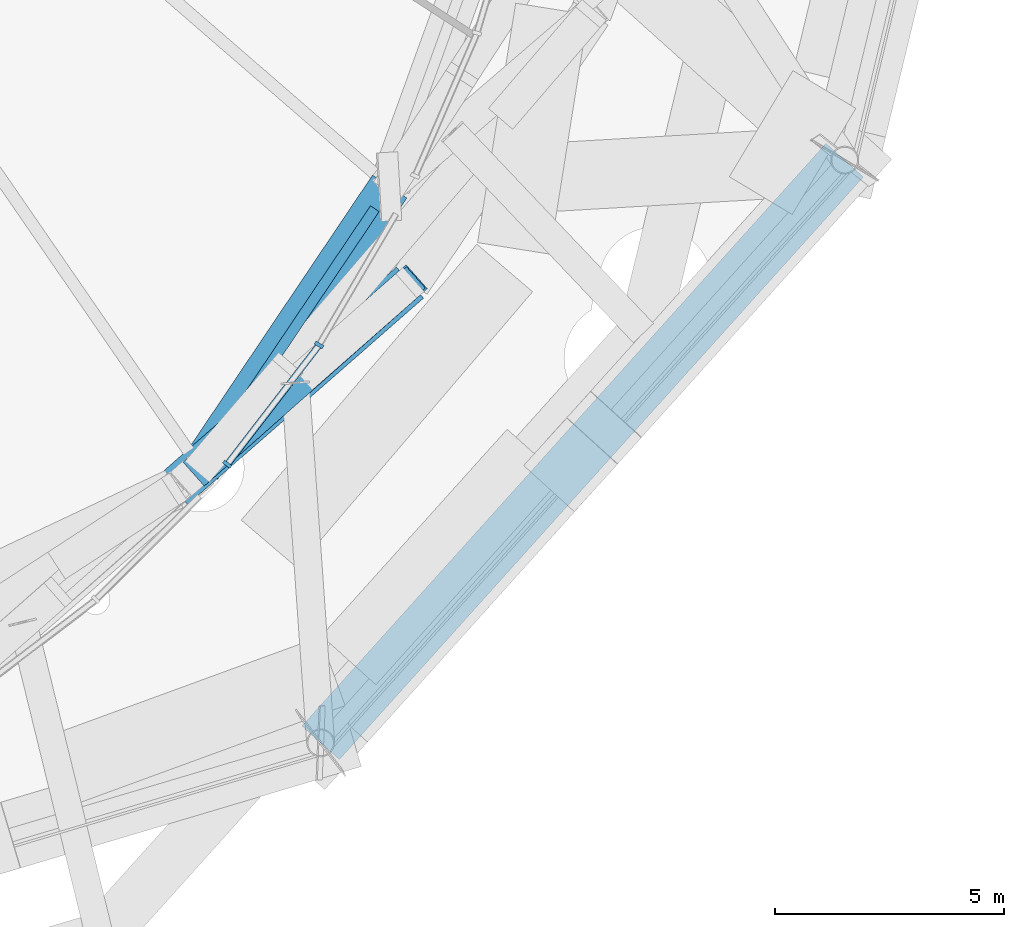
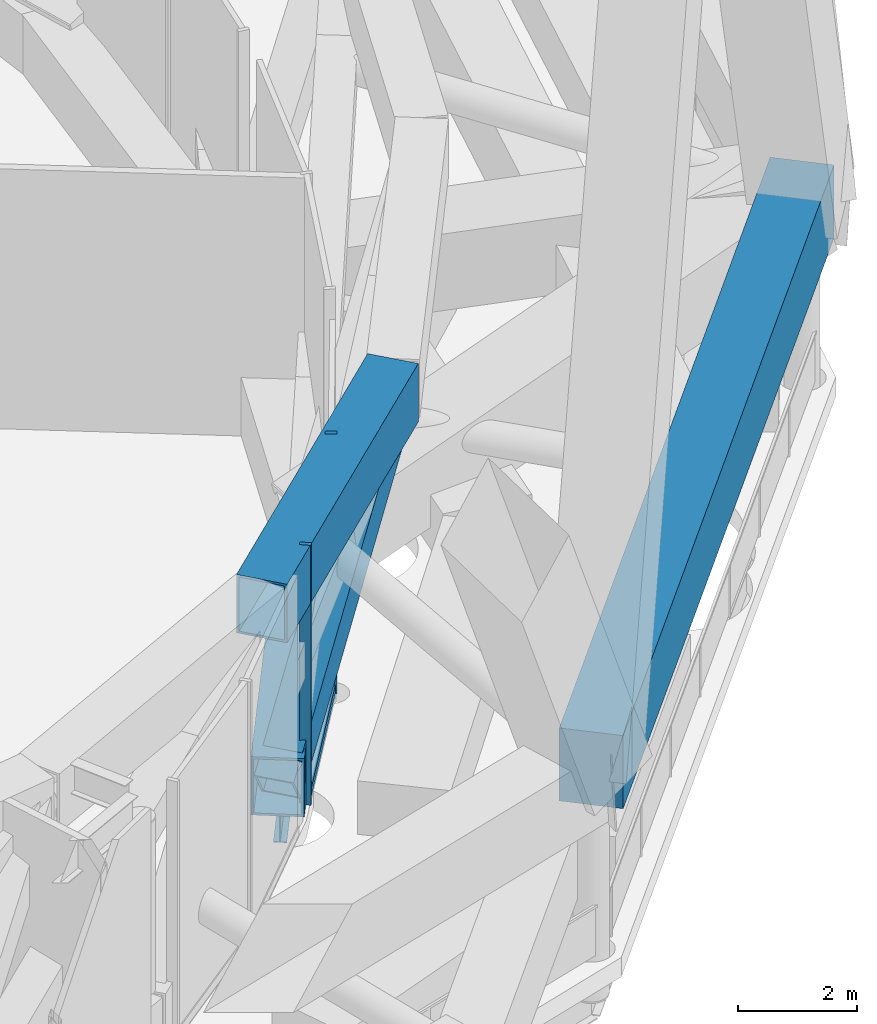
# One storey, part 18 of 49: 4 beams, 4 members, 2 elements without a shape of their own.
"""IFC4 building model written with IfcOpenShell, lengths in metres."""

from ifc_helpers import new_model, si_unit, direction, frame, origin, origin_2d, place, context, subcontext, project, spatial, rectangle, hollow_rectangle, i_section, extrude, material, layer, layer_set, material_profile, profile_set, type_object, element, aggregate, save


model = new_model("IFC4")

# Units and contexts
model_context = context("Model", 3, precision=1e-05, world=origin(), true_north=direction((0.0, 1.0)))
body_context = subcontext(model_context, "Body", "Model", "MODEL_VIEW")
ifc_project = project(units=[si_unit("LENGTHUNIT", "METRE"), si_unit("AREAUNIT", "SQUARE_METRE"), si_unit("VOLUMEUNIT", "CUBIC_METRE"), si_unit("PLANEANGLEUNIT", "RADIAN"), si_unit("MASSUNIT", "GRAM", prefix="KILO")], contexts=[model_context])

# Site, building, storey
site_placement = place(None, origin())
site = spatial("IfcSite", under=ifc_project, at=site_placement, CompositionType="ELEMENT")
building_placement = place(site_placement, origin())
building = spatial("IfcBuilding", under=site, at=building_placement, Name="Nagisa Residences", CompositionType="ELEMENT")
storey_placement = place(building_placement, frame((0.0, 0.0, 160.300048828125)))
storey = spatial("IfcBuildingStorey", under=building, at=storey_placement, Name="L40", CompositionType="ELEMENT", Elevation=160.300048828125)

# Beams
ifc_material_1 = material(Name="Steel ASTM A572 Gr 50", Category="steel")
ifc_material_profile_1 = material_profile(ifc_material_1, hollow_rectangle(XDim=0.89990234375, YDim=1.199951171875, WallThickness=0.044921875, at=origin_2d()), Name="BX 900x1200x45")
ifc_profile_set_1 = profile_set([ifc_material_profile_1], Name="Steel ASTM A572 Gr 50")
beam_type_1 = type_object("IfcBeamType", Name="Belt chord 3 BX 900x1200x45", PredefinedType="BEAM", material=ifc_profile_set_1)
beam_1_placement = place(storey_placement, frame((16.03759765625, -24.573486328125, 4.739990234375), z_axis=(0.752459604725, 0.658638400989, 0.0), x_axis=(-0.658638400989, 0.752459604725, 0.0)))
element("IfcBeam", 1, at=beam_1_placement, inside=storey, type_object=beam_type_1, Name="beam:L40:bt3t21", PredefinedType="BEAM", context=body_context, shape_type="SweptSolid", body=[
    extrude(hollow_rectangle(XDim=0.89990234375, YDim=1.199951171875, WallThickness=0.044921875, at=origin_2d()), origin(), (0.0, 0.0, 1.0), 6.846435546875),
])
beam_2_placement = place(storey_placement, frame((16.609619140625, -24.115234375, 0.599853515625), z_axis=(0.558184113249, 0.829717117888, 0.0), x_axis=(-0.829717117888, 0.558184113249, 0.0)))
element("IfcBeam", 2, at=beam_2_placement, inside=storey, type_object=beam_type_1, Name="beam:L40:bt3b22", PredefinedType="BEAM", context=body_context, shape_type="SweptSolid", body=[
    extrude(hollow_rectangle(XDim=0.89990234375, YDim=1.199951171875, WallThickness=0.044921875, at=origin_2d()), origin(), (0.0, 0.0, 1.0), 7.412353515625),
])
ifc_material_2 = material(Name="Steel ASTM A572 Gr 50", Category="steel")
ifc_material_profile_2 = material_profile(ifc_material_2, hollow_rectangle(XDim=0.699951171875, YDim=0.699951171875, WallThickness=0.0400390625, at=origin_2d()), Name="BX 700x700x40")
ifc_profile_set_2 = profile_set([ifc_material_profile_2], Name="Steel ASTM A572 Gr 50")
beam_type_2 = type_object("IfcBeamType", Name="Belt diagonal 3 BX 700x700x40", PredefinedType="BEAM", material=ifc_profile_set_2)
beam_3_placement = place(storey_placement, frame((16.609619140625, -24.115234375, 0.599853515625), z_axis=(0.620200346518, 0.548618421461, 0.560686505824), x_axis=(-0.662560097095, 0.749008756783, 0.0)))
element("IfcBeam", 3, at=beam_3_placement, inside=storey, type_object=beam_type_2, Name="beam:L40:bt3da22", PredefinedType="BEAM", context=body_context, shape_type="SweptSolid", body=[
    extrude(hollow_rectangle(XDim=0.699951171875, YDim=0.699951171875, WallThickness=0.0400390625, at=origin_2d()), origin(), (0.0, 0.0, 1.0), 7.384033203125),
])

# Curtain wall, member
ifc_material_3 = material(Name="Aluminium curtain wall system", Category="aluminium")
ifc_layer = layer(ifc_material_3, 0.159912109375)
ifc_layer_set = layer_set([ifc_layer], Name="CW2 CURTAIN WALL")
curtain_wall_type = type_object("IfcCurtainWallType", Name="CW2 CURTAIN WALL", PredefinedType="NOTDEFINED", material=ifc_layer_set)
curtain_wall_1_placement = place(storey_placement, origin())
curtain_wall_1 = element("IfcCurtainWall", 4, at=curtain_wall_1_placement, inside=storey, type_object=curtain_wall_type, Name="cw:CW2:L40:42", PredefinedType="NOTDEFINED")
ifc_material_4 = material(Name="Aluminium", Category="aluminium")
ifc_material_profile_3 = material_profile(ifc_material_4, rectangle(XDim=0.199951171875, YDim=0.080078125, at=origin_2d()), Name="CW2 MULLION 200x80")
ifc_profile_set_3 = profile_set([ifc_material_profile_3], Name="Aluminium")
member_type_1 = type_object("IfcMemberType", Name="CW2 MULLION 200x80", PredefinedType="MULLION", material=ifc_profile_set_3)
member_1_placement = place(storey_placement, frame((17.19873046875, -24.03173828125, 0.0), z_axis=(0.0, 0.0, 1.0), x_axis=(-0.792070340816, 0.610429828235, 0.0)))
member_1 = element("IfcMember", 5, at=member_1_placement, type_object=member_type_1, Name="CW2 mullion", PredefinedType="MULLION", context=body_context, shape_type="SweptSolid", body=[
    extrude(rectangle(XDim=0.199951171875, YDim=0.080078125, at=origin_2d()), origin(), (0.0, 0.0, 1.0), 5.33984375),
])

curtain_wall_2_placement = place(storey_placement, origin())
curtain_wall_2 = element("IfcCurtainWall", 6, at=curtain_wall_2_placement, inside=storey, type_object=curtain_wall_type, Name="cw:CW2:L40:43", PredefinedType="NOTDEFINED")
member_2_placement = place(storey_placement, frame((19.202880859375, -21.42431640625, 0.0), z_axis=(0.0, 0.0, 1.0), x_axis=(-0.862328898214, 0.506348567002, 0.0)))
member_2 = element("IfcMember", 7, at=member_2_placement, type_object=member_type_1, Name="CW2 mullion", PredefinedType="MULLION", context=body_context, shape_type="SweptSolid", body=[
    extrude(rectangle(XDim=0.199951171875, YDim=0.080078125, at=origin_2d()), origin(), (0.0, 0.0, 1.0), 5.33984375),
])
aggregate(curtain_wall_2, [member_2])

# Member
ifc_material_5 = material(Name="Aluminium", Category="aluminium")
ifc_material_profile_4 = material_profile(ifc_material_5, rectangle(XDim=0.139892578125, YDim=0.179931640625, at=origin_2d()), Name="CW2 TRANSOM 140x180")
ifc_profile_set_4 = profile_set([ifc_material_profile_4], Name="Aluminium")
member_type_2 = type_object("IfcMemberType", Name="CW2 TRANSOM 140x180", PredefinedType="USERDEFINED", material=ifc_profile_set_4)
member_3_placement = place(storey_placement, frame((17.17431640625, -24.0634765625, 0.08984375), z_axis=(0.61045080008, 0.79205417787, 0.0), x_axis=(-0.79205417787, 0.61045080008, 0.0)))
member_3 = element("IfcMember", 8, at=member_3_placement, type_object=member_type_2, Name="CW2 transom", ObjectType="TRANSOM", PredefinedType="USERDEFINED", context=body_context, shape_type="SweptSolid", body=[
    extrude(rectangle(XDim=0.139892578125, YDim=0.179931640625, at=origin_2d()), origin(), (0.0, 0.0, 1.0), 3.299072265625),
])

aggregate(curtain_wall_1, [member_1, member_3])

ifc_material_6 = material(Name="Concrete C80", Category="concrete")
ifc_material_profile_5 = material_profile(ifc_material_6, rectangle(XDim=1.10009765625, YDim=1.5, at=origin_2d()), Name="C80 1100x1500")
ifc_profile_set_5 = profile_set([ifc_material_profile_5], Name="Concrete C80")
member_type_3 = type_object("IfcMemberType", Name="Cage ring 4 C80 1100x1500", PredefinedType="CHORD", material=ifc_profile_set_5)
member_4_placement = place(storey_placement, frame((19.237548828125, -30.115966796875, 3.699951171875), z_axis=(0.668701524024, 0.743530948763, 0.0), x_axis=(-0.743530948763, 0.668701524024, 0.0)))
element("IfcMember", 9, at=member_4_placement, inside=storey, type_object=member_type_3, Name="beam:L40:cg4r011", PredefinedType="CHORD", context=body_context, shape_type="SweptSolid", body=[
    extrude(rectangle(XDim=1.10009765625, YDim=1.5, at=origin_2d()), origin(), (0.0, 0.0, 1.0), 17.118896484375),
])

# Beam
ifc_material_7 = material(Name="Steel ASTM A572 Gr 50", Category="steel")
ifc_material_profile_6 = material_profile(ifc_material_7, i_section(OverallWidth=0.22802734375, OverallDepth=0.60302734375, WebThickness=0.010498046875, FlangeThickness=0.014892578125, at=origin_2d()), Name="W610x101")
ifc_profile_set_6 = profile_set([ifc_material_profile_6], Name="Steel ASTM A572 Gr 50")
beam_type_3 = type_object("IfcBeamType", Name="Perimeter ring beam W610x101", PredefinedType="BEAM", material=ifc_profile_set_6)
beam_4_placement = place(storey_placement, frame((16.93603515625, -23.6298828125, -0.651611328125), z_axis=(0.558187951157, 0.82971453596, 0.0), x_axis=(-0.82971453596, 0.558187951157, 0.0)))
element("IfcBeam", 10, at=beam_4_placement, inside=storey, type_object=beam_type_3, Name="beam:L40:pb22", PredefinedType="BEAM", context=body_context, shape_type="SweptSolid", body=[
    extrude(i_section(OverallWidth=0.22802734375, OverallDepth=0.60302734375, WebThickness=0.010498046875, FlangeThickness=0.014892578125, at=origin_2d()), origin(), (0.0, 0.0, 1.0), 6.24267578125),
])

save(model, "model.ifc")
